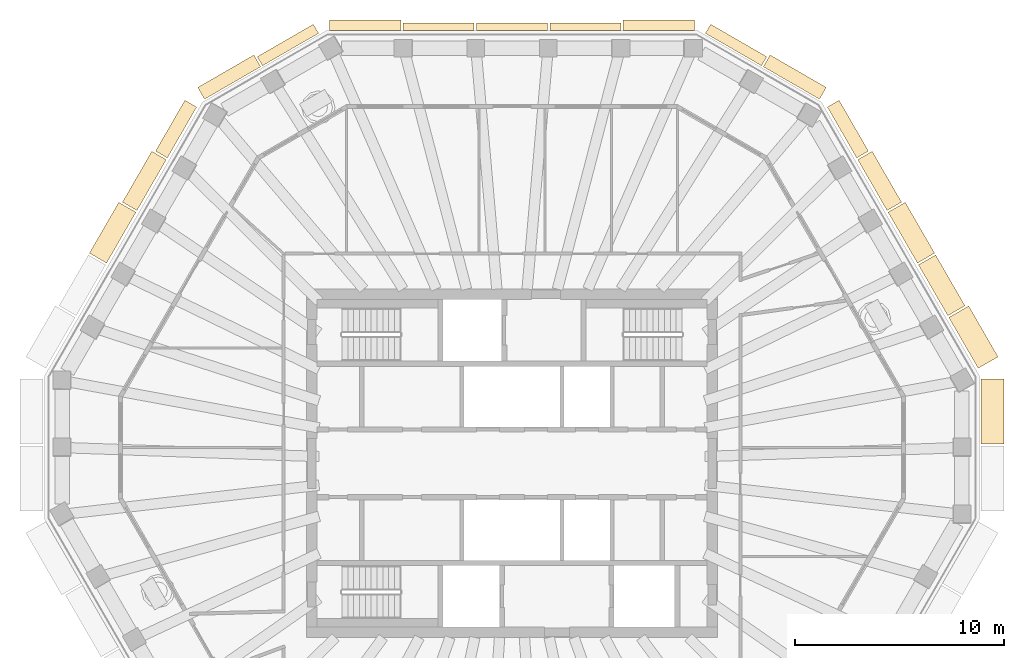
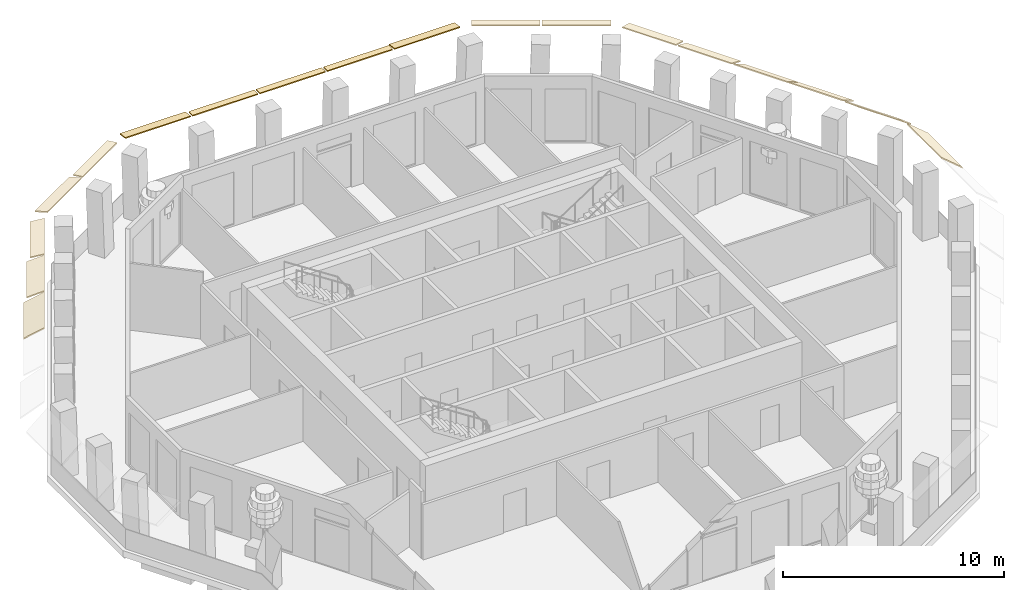
# One storey, part 9 of 11: 18 coverings.
"""IFC4 building model written with IfcOpenShell, lengths in metres."""

from ifc_helpers import new_model, si_unit, direction, frame, origin, place, context, subcontext, project, spatial, polyline, outline, extrude, material, layer, layer_set, type_object, element, save


model = new_model("IFC4")

# Units and contexts
model_context = context("Model", 3, precision=1e-05, world=origin(), true_north=direction((0.0, 1.0)))
body_context = subcontext(model_context, "Body", "Model", "MODEL_VIEW")
ifc_project = project(units=[si_unit("LENGTHUNIT", "METRE"), si_unit("AREAUNIT", "SQUARE_METRE"), si_unit("VOLUMEUNIT", "CUBIC_METRE"), si_unit("PLANEANGLEUNIT", "RADIAN"), si_unit("MASSUNIT", "GRAM", prefix="KILO")], contexts=[model_context])

# Site, building, storey
site_placement = place(None, origin())
site = spatial("IfcSite", under=ifc_project, at=site_placement, CompositionType="ELEMENT")
building_placement = place(site_placement, origin())
building = spatial("IfcBuilding", under=site, at=building_placement, Name="Frailejon Research Tower", CompositionType="ELEMENT")
storey_placement = place(building_placement, frame((0.0, 0.0, 332.60009765625)))
storey = spatial("IfcBuildingStorey", under=building, at=storey_placement, Name="L74", CompositionType="ELEMENT", Elevation=332.60009765625)

# Coverings
ifc_material_1 = material(Name="Precast concrete C50/60", Category="concrete")
ifc_layer_1 = layer(ifc_material_1, 0.06005859375)
ifc_layer_set_1 = layer_set([ifc_layer_1], Name="Brim blade depth 1100")
covering_type_1 = type_object("IfcCoveringType", Name="Brim blade depth 1100", PredefinedType="CLADDING", material=ifc_layer_set_1)
covering_1_placement = place(storey_placement, frame((22.485595703125, 4.035888671875, 3.849853515625), z_axis=(0.0, -1.0, 0.0), x_axis=(1.0, 0.0, 0.0)))
element("IfcCovering", 1, at=covering_1_placement, inside=storey, type_object=covering_type_1, Name="Brim blade L74", PredefinedType="CLADDING", context=body_context, shape_type="SweptSolid", body=[
    extrude(outline(polyline([(0.0, -0.078369140625), (1.10009765625, -1.001220703125), (1.10009765625, -0.923095703125), (0.0, 0.0), (0.0, -0.078369140625)])), origin(), (0.0, 0.0, 1.0), 3.106201171875),
])
covering_2_placement = place(storey_placement, frame((20.94091796875, 6.9892578125, 3.849853515625), z_axis=(0.499988037973, -0.866032309954, 0.0), x_axis=(0.866032309954, 0.499988037973, 0.0)))
element("IfcCovering", 2, at=covering_2_placement, inside=storey, type_object=covering_type_1, Name="Brim blade L74", PredefinedType="CLADDING", context=body_context, shape_type="SweptSolid", body=[
    extrude(outline(polyline([(0.0, -0.078369140625), (1.10009765625, -1.001220703125), (1.10009765625, -0.923095703125), (0.0, 0.0), (0.0, -0.078369140625)])), origin(), (0.0, 0.0, 1.0), 2.811767578125),
])
ifc_material_2 = material(Name="Precast concrete C50/60", Category="concrete")
ifc_layer_2 = layer(ifc_material_2, 0.06005859375)
ifc_layer_set_2 = layer_set([ifc_layer_2], Name="Brim blade depth 350")
covering_type_2 = type_object("IfcCoveringType", Name="Brim blade depth 350", PredefinedType="CLADDING", material=ifc_layer_set_2)
for number, where, z_axis, x_axis, name in (
    (3, (1.810791015625, 20.75, 3.849853515625), (1.0, 0.0, 0.0), (0.0, 1.0, 0.0), "Brim blade L74"),
    (4, (-1.710693359375, 20.75, 3.849853515625), (1.0, 0.0, 0.0), (0.0, 1.0, 0.0), "Brim blade L74"),
    (5, (-5.23193359375, 20.75, 3.849853515625), (1.0, 0.0, 0.0), (0.0, 1.0, 0.0), "Brim blade L74"),
):
    element("IfcCovering", number, at=place(storey_placement, frame(where, z_axis=z_axis, x_axis=x_axis)), inside=storey, type_object=covering_type_2, Name=name, PredefinedType="CLADDING", context=body_context, shape_type="SweptSolid", body=[
        extrude(outline(polyline([(0.0, -0.06005859375), (0.35009765625, -0.06005859375), (0.35009765625, 0.0), (0.0, 0.0), (0.0, -0.06005859375)])), origin(), (0.0, 0.0, 1.0), 3.42138671875),
    ])
ifc_material_3 = material(Name="Precast concrete C50/60", Category="concrete")
ifc_layer_3 = layer(ifc_material_3, 0.06005859375)
ifc_layer_set_3 = layer_set([ifc_layer_3], Name="Brim blade depth 500")
covering_type_3 = type_object("IfcCoveringType", Name="Brim blade depth 500", PredefinedType="CLADDING", material=ifc_layer_set_3)
covering_3_placement = place(storey_placement, frame((9.271484375, 20.611083984375, 3.849853515625), z_axis=(0.86602716254, -0.499996953734, 0.0), x_axis=(0.499996953734, 0.86602716254, 0.0)))
element("IfcCovering", 6, at=covering_3_placement, inside=storey, type_object=covering_type_3, Name="Brim blade L74", PredefinedType="CLADDING", context=body_context, shape_type="SweptSolid", body=[
    extrude(outline(polyline([(0.0, -0.060546875), (0.5, -0.130859375), (0.5, -0.0703125), (0.0, 0.0), (0.0, -0.060546875)])), origin(), (0.0, 0.0, 1.0), 3.10595703125),
])
for number, where, z_axis, x_axis, name in (
    (7, (5.33203125, 20.75, 3.849853515625), (1.0, 0.0, 0.0), (0.0, 1.0, 0.0), "Brim blade L74"),
    (8, (-8.75341796875, 20.75, 3.849853515625), (1.0, 0.0, 0.0), (0.0, 1.0, 0.0), "Brim blade L74"),
):
    element("IfcCovering", number, at=place(storey_placement, frame(where, z_axis=z_axis, x_axis=x_axis)), inside=storey, type_object=covering_type_3, Name=name, PredefinedType="CLADDING", context=body_context, shape_type="SweptSolid", body=[
        extrude(outline(polyline([(0.0, -0.060546875), (0.5, -0.130859375), (0.5, -0.0703125), (0.0, 0.0), (0.0, -0.060546875)])), origin(), (0.0, 0.0, 1.0), 3.42138671875),
    ])
covering_4_placement = place(storey_placement, frame((-11.96142578125, 19.05810546875, 3.849853515625), z_axis=(0.86602716254, 0.499996953734, 0.0), x_axis=(-0.499996953734, 0.86602716254, 0.0)))
element("IfcCovering", 9, at=covering_4_placement, inside=storey, type_object=covering_type_3, Name="Brim blade L74", PredefinedType="CLADDING", context=body_context, shape_type="SweptSolid", body=[
    extrude(outline(polyline([(0.0, -0.060546875), (0.5, -0.130859375), (0.5, -0.0703125), (0.0, 0.0), (0.0, -0.060546875)])), origin(), (0.0, 0.0, 1.0), 3.10595703125),
])
ifc_material_4 = material(Name="Precast concrete C50/60", Category="concrete")
ifc_layer_4 = layer(ifc_material_4, 0.06005859375)
ifc_layer_set_4 = layer_set([ifc_layer_4], Name="Brim blade depth 650")
covering_type_4 = type_object("IfcCoveringType", Name="Brim blade depth 650", PredefinedType="CLADDING", material=ifc_layer_set_4)
covering_5_placement = place(storey_placement, frame((15.117431640625, 17.07568359375, 3.849853515625), z_axis=(0.499988037973, -0.866032309954, 0.0), x_axis=(0.866032309954, 0.499988037973, 0.0)))
element("IfcCovering", 10, at=covering_5_placement, inside=storey, type_object=covering_type_4, Name="Brim blade L74", PredefinedType="CLADDING", context=body_context, shape_type="SweptSolid", body=[
    extrude(outline(polyline([(0.0, -0.0625), (0.64990234375, -0.248779296875), (0.64990234375, -0.186279296875), (0.0, 0.0), (0.0, -0.0625)])), origin(), (0.0, 0.0, 1.0), 2.811767578125),
])
for number, where, z_axis, x_axis, name in (
    (11, (12.048095703125, 19.008056640625, 3.849853515625), (0.866021454071, -0.500006841041, 0.0), (0.500006841041, 0.866021454071, 0.0), "Brim blade L74"),
    (12, (-14.738037109375, 17.455078125, 3.849853515625), (0.866021454071, 0.500006841041, 0.0), (-0.500006841041, 0.866021454071, 0.0), "Brim blade L74"),
):
    element("IfcCovering", number, at=place(storey_placement, frame(where, z_axis=z_axis, x_axis=x_axis)), inside=storey, type_object=covering_type_4, Name=name, PredefinedType="CLADDING", context=body_context, shape_type="SweptSolid", body=[
        extrude(outline(polyline([(0.0, -0.0625), (0.64990234375, -0.248779296875), (0.64990234375, -0.186279296875), (0.0, 0.0), (0.0, -0.0625)])), origin(), (0.0, 0.0, 1.0), 3.106201171875),
    ])
covering_6_placement = place(storey_placement, frame((-16.523193359375, 14.640625, 3.849853515625), z_axis=(0.499988037973, 0.866032309954, 0.0), x_axis=(-0.866032309954, 0.499988037973, 0.0)))
element("IfcCovering", 13, at=covering_6_placement, inside=storey, type_object=covering_type_4, Name="Brim blade L74", PredefinedType="CLADDING", context=body_context, shape_type="SweptSolid", body=[
    extrude(outline(polyline([(0.0, -0.0625), (0.64990234375, -0.248779296875), (0.64990234375, -0.186279296875), (0.0, 0.0), (0.0, -0.0625)])), origin(), (0.0, 0.0, 1.0), 2.811767578125),
])
ifc_material_5 = material(Name="Precast concrete C50/60", Category="concrete")
ifc_layer_5 = layer(ifc_material_5, 0.06005859375)
ifc_layer_set_5 = layer_set([ifc_layer_5], Name="Brim blade depth 800")
covering_type_5 = type_object("IfcCoveringType", Name="Brim blade depth 800", PredefinedType="CLADDING", material=ifc_layer_set_5)
for number, where, z_axis, x_axis, name in (
    (14, (16.5732421875, 14.553955078125, 3.849853515625), (0.500002909865, -0.866023723766, 0.0), (0.866023723766, 0.500002909865, 0.0), "Brim blade L74"),
    (15, (-17.97900390625, 12.119140625, 3.849853515625), (0.500002909865, 0.866023723766, 0.0), (-0.866023723766, 0.500002909865, 0.0), "Brim blade L74"),
):
    element("IfcCovering", number, at=place(storey_placement, frame(where, z_axis=z_axis, x_axis=x_axis)), inside=storey, type_object=covering_type_5, Name=name, PredefinedType="CLADDING", context=body_context, shape_type="SweptSolid", body=[
        extrude(outline(polyline([(0.0, -0.065673828125), (0.800048828125, -0.421875), (0.800048828125, -0.356201171875), (0.0, 0.0), (0.0, -0.065673828125)])), origin(), (0.0, 0.0, 1.0), 2.8115234375),
    ])
ifc_material_6 = material(Name="Precast concrete C50/60", Category="concrete")
ifc_layer_6 = layer(ifc_material_6, 0.06005859375)
ifc_layer_set_6 = layer_set([ifc_layer_6], Name="Brim blade depth 950")
covering_type_6 = type_object("IfcCoveringType", Name="Brim blade depth 950", PredefinedType="CLADDING", material=ifc_layer_set_6)
for number, where, z_axis, x_axis, name in (
    (16, (19.485107421875, 9.510986328125, 3.849853515625), (0.499988037973, -0.866032309954, 0.0), (0.866032309954, 0.499988037973, 0.0), "Brim blade L74"),
    (17, (18.029052734375, 12.032470703125, 3.849853515625), (0.500013796222, -0.866017438385, 0.0), (0.866017438385, 0.500013796222, 0.0), "Brim blade L74"),
    (18, (-19.43505859375, 9.597412109375, 3.849853515625), (0.500013796222, 0.866017438385, 0.0), (-0.866017438385, 0.500013796222, 0.0), "Brim blade L74"),
):
    element("IfcCovering", number, at=place(storey_placement, frame(where, z_axis=z_axis, x_axis=x_axis)), inside=storey, type_object=covering_type_6, Name=name, PredefinedType="CLADDING", context=body_context, shape_type="SweptSolid", body=[
        extrude(outline(polyline([(0.0, -0.07080078125), (0.949951171875, -0.664306640625), (0.949951171875, -0.593505859375), (0.0, 0.0), (0.0, -0.07080078125)])), origin(), (0.0, 0.0, 1.0), 2.811767578125),
    ])

save(model, "model.ifc")
